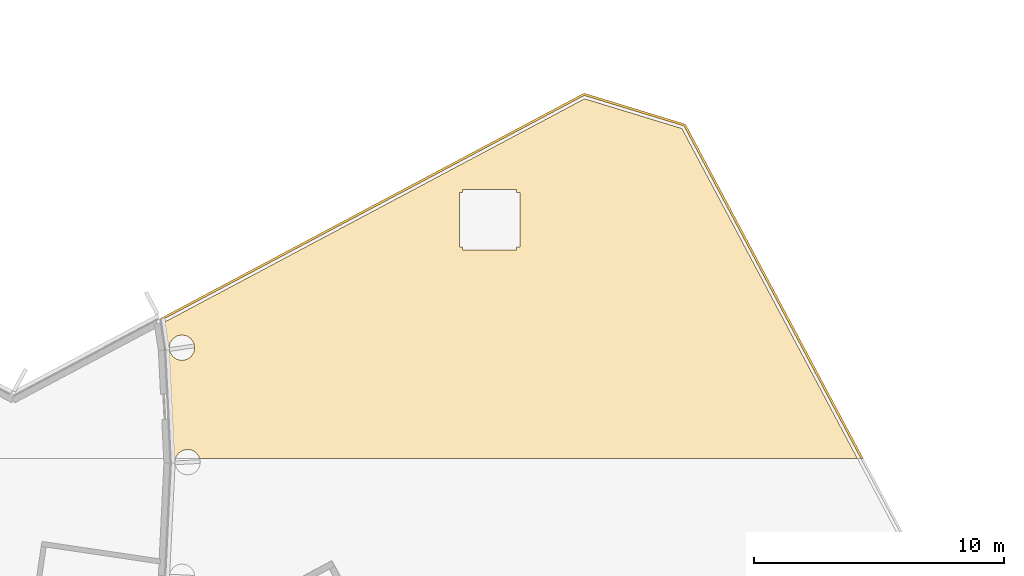
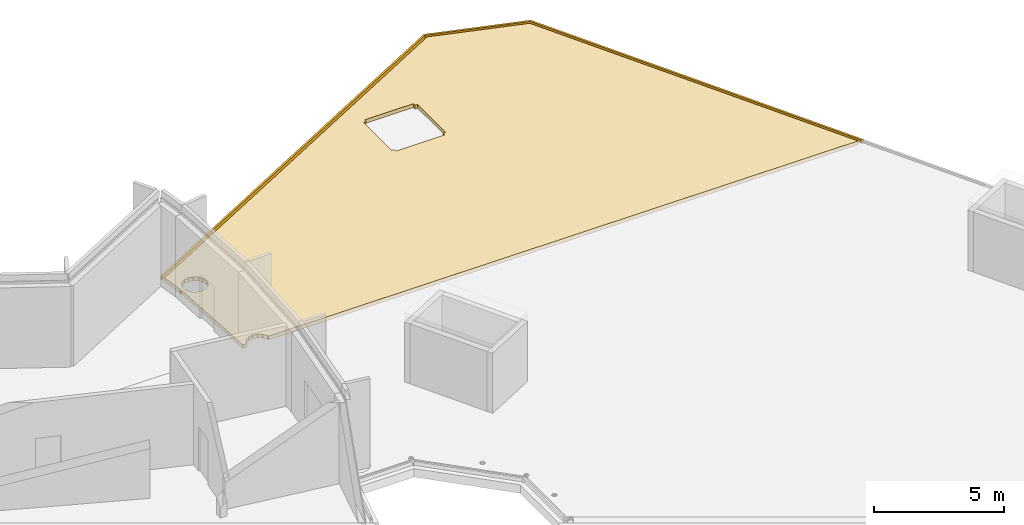
# One storey, part 16 of 16: 2 coverings.
"""IFC4 building model written with IfcOpenShell, lengths in metres."""

from ifc_helpers import new_model, si_unit, direction, frame, origin, place, context, subcontext, project, spatial, polyline, outline, extrude, material, layer, layer_set, type_object, element, save


model = new_model("IFC4")

# Units and contexts
model_context = context("Model", 3, precision=1e-05, world=origin(), true_north=direction((0.0, 1.0)))
body_context = subcontext(model_context, "Body", "Model", "MODEL_VIEW")
ifc_project = project(units=[si_unit("LENGTHUNIT", "METRE"), si_unit("AREAUNIT", "SQUARE_METRE"), si_unit("VOLUMEUNIT", "CUBIC_METRE"), si_unit("PLANEANGLEUNIT", "RADIAN"), si_unit("MASSUNIT", "GRAM", prefix="KILO")], contexts=[model_context])

# Site, building, storey
site_placement = place(None, origin())
site = spatial("IfcSite", under=ifc_project, at=site_placement, CompositionType="ELEMENT")
building_placement = place(site_placement, origin())
building = spatial("IfcBuilding", under=site, at=building_placement, Name="Cormorant Relay Tower", CompositionType="ELEMENT")
storey_placement = place(building_placement, frame((0.0, 0.0, 328.199951171875)))
storey = spatial("IfcBuildingStorey", under=building, at=storey_placement, Name="C1", CompositionType="ELEMENT", Elevation=328.199951171875)

# Coverings
ifc_material = material(Name="Bituminous waterproof membrane on mineral wool insulation")
ifc_layer = layer(ifc_material, 0.179931640625)
ifc_layer_set = layer_set([ifc_layer], Name="Roof membrane and insulation 180")
covering_type = type_object("IfcCoveringType", Name="Roof membrane and insulation 180", PredefinedType="ROOFING", material=ifc_layer_set)
covering_1_placement = place(storey_placement, origin())
element("IfcCovering", 1, at=covering_1_placement, inside=storey, type_object=covering_type, Name="Roof membrane", PredefinedType="ROOFING", context=body_context, shape_type="SweptSolid", body=[
    extrude(outline(polyline([(6.308837890625, 21.300048828125), (6.09521484375, 25.6474609375), (6.04541015625, 25.64501953125), (6.037353515625, 25.699462890625), (6.085693359375, 25.706787109375), (5.935302734375, 26.720703125), (6.218994140625, 26.852783203125), (6.221435546875, 26.854248046875), (22.831787109375, 35.68603515625), (26.722900390625, 34.49658203125), (33.739501953125, 21.300048828125), (7.448974609375, 21.300048828125), (7.43798828125, 21.355712890625), (7.327392578125, 21.521484375), (7.16162109375, 21.632080078125), (6.966552734375, 21.6708984375), (6.771240234375, 21.632080078125), (6.605712890625, 21.521484375), (6.4951171875, 21.355712890625), (6.48388671875, 21.300048828125), (6.308837890625, 21.300048828125)]), holes=[polyline([(17.82568359375, 29.76220703125), (17.95068359375, 29.76220703125), (17.95068359375, 29.63720703125), (20.12060546875, 29.63720703125), (20.12060546875, 29.76220703125), (20.24560546875, 29.76220703125), (20.24560546875, 31.932373046875), (20.12060546875, 31.932373046875), (20.12060546875, 32.057373046875), (17.95068359375, 32.057373046875), (17.95068359375, 31.932373046875), (17.82568359375, 31.932373046875), (17.82568359375, 29.76220703125)]), polyline([(6.93359375, 25.266357421875), (7.09912109375, 25.376953125), (7.209716796875, 25.54248046875), (7.24853515625, 25.73779296875), (7.209716796875, 25.932861328125), (7.09912109375, 26.098388671875), (6.93359375, 26.208984375), (6.73828125, 26.247802734375), (6.543212890625, 26.208984375), (6.37744140625, 26.098388671875), (6.266845703125, 25.932861328125), (6.22802734375, 25.73779296875), (6.266845703125, 25.54248046875), (6.37744140625, 25.376953125), (6.543212890625, 25.266357421875), (6.73828125, 25.2275390625), (6.93359375, 25.266357421875)])]), origin(), (0.0, 0.0, 1.0), 0.179931640625),
])
covering_2_placement = place(storey_placement, origin())
element("IfcCovering", 2, at=covering_2_placement, inside=storey, type_object=covering_type, Name="Roof membrane", PredefinedType="ROOFING", context=body_context, shape_type="SweptSolid", body=[
    extrude(outline(polyline([(22.810302734375, 35.912353515625), (26.867431640625, 34.671875), (33.977294921875, 21.300048828125), (33.87548828125, 21.300048828125), (26.81689453125, 34.574951171875), (26.814208984375, 34.579833984375), (26.810546875, 34.584716796875), (26.806640625, 34.5888671875), (26.80224609375, 34.593017578125), (26.797607421875, 34.596435546875), (26.79248046875, 34.599609375), (26.787109375, 34.60205078125), (26.781982421875, 34.60400390625), (22.843017578125, 35.80810546875), (22.83740234375, 35.8095703125), (22.831787109375, 35.810302734375), (22.82568359375, 35.810791015625), (22.81982421875, 35.810302734375), (22.814208984375, 35.8095703125), (22.808349609375, 35.80810546875), (22.802978515625, 35.80615234375), (22.797607421875, 35.8037109375), (6.16650390625, 26.9609375), (5.9169921875, 26.844482421875), (5.906494140625, 26.916015625), (5.884765625, 26.912841796875), (22.810302734375, 35.912353515625)])), origin(), (0.0, 0.0, 1.0), 0.179931640625),
])

save(model, "model.ifc")
